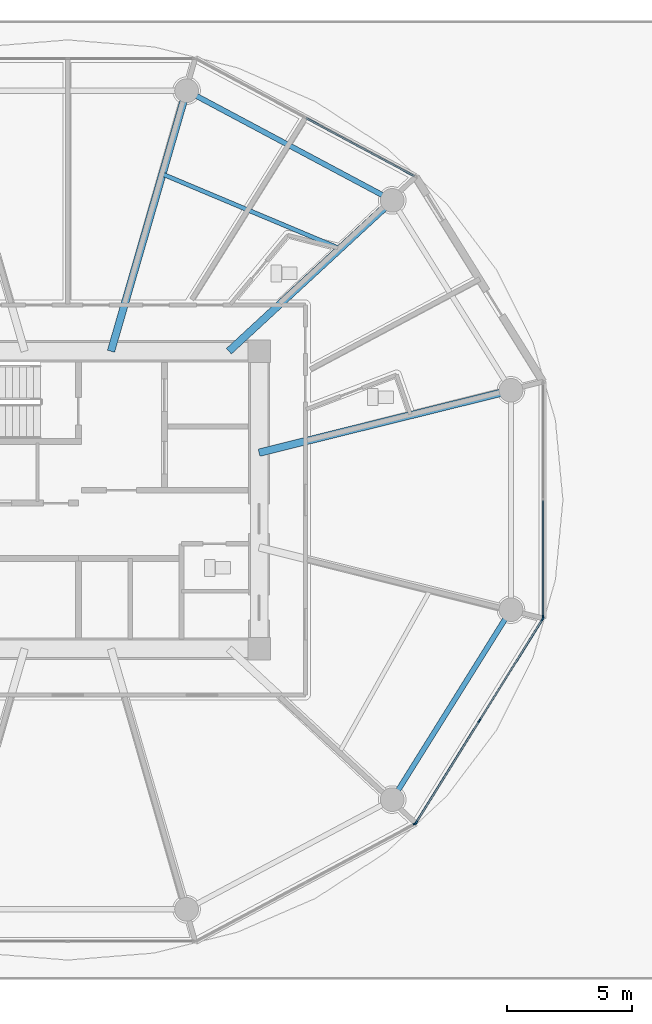
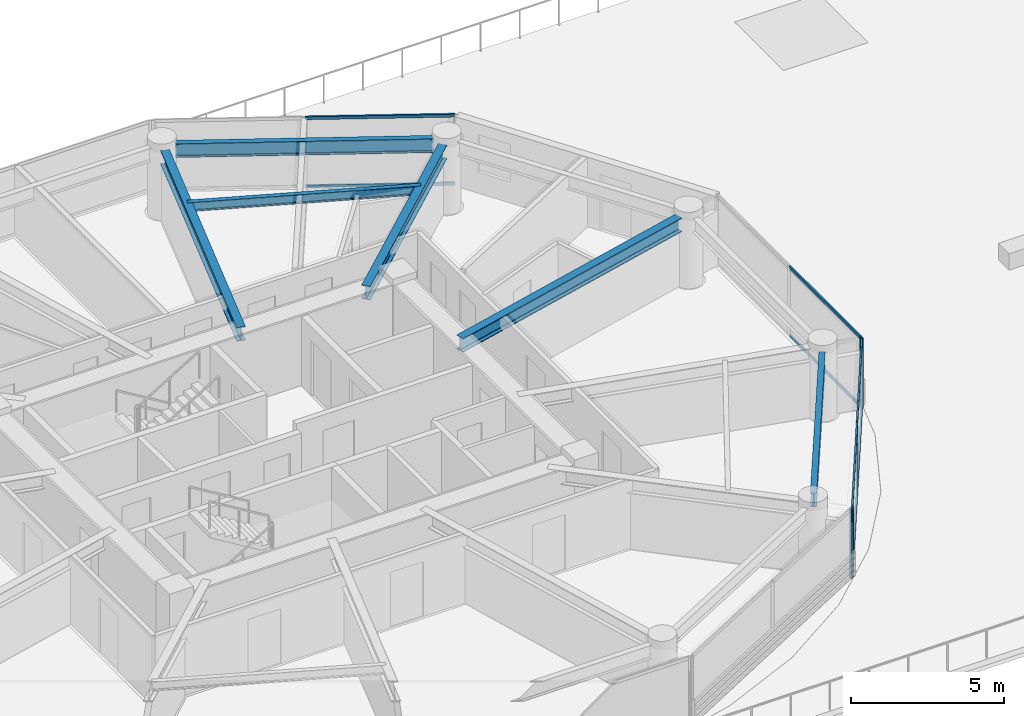
# One storey, part 5 of 32: 13 members, 6 beams, 4 elements without a shape of their own.
"""IFC4 building model written with IfcOpenShell, lengths in metres."""

import ifcopenshell
import ifcopenshell.guid

model = None  # the IFC model being written
_history = None  # IfcOwnerHistory: only IFC2X3 demands one
_inside = {}  # id of a spatial element -> (the spatial element, [elements in it])
_under = {}  # id of a project, library or spatial element -> (it, [spatial elements below it])
_declared = {}  # id of a project -> (the project, [libraries it declares])
_typed = {}  # id of a type object -> (the type object, [elements of that type])
_made_of = {}  # id of a material, layer set ... -> (it, [elements and type objects made of it])


def new_model(schema):
    """Start an empty IFC model of exactly this schema.

    Asked for "IFC4X3", IfcOpenShell would pick the latest addendum, in which some entities
    have other attributes; the version numbers below select the first issue.
    IFC2X3 requires an IfcOwnerHistory on every rooted entity: one is made here for all.
    """
    global model, _history
    if schema == "IFC4X3":
        model = ifcopenshell.file(schema_version=(4, 3, 0, 0))
    else:
        model = ifcopenshell.file(schema=schema)
    _inside.clear()
    _under.clear()
    _declared.clear()
    _typed.clear()
    _made_of.clear()
    _history = None
    if model.schema == "IFC2X3":
        org = make("IfcOrganization", Name="unknown")
        user = make(
            "IfcPersonAndOrganization",
            ThePerson=make("IfcPerson", FamilyName="unknown"),
            TheOrganization=org,
        )
        app = make(
            "IfcApplication",
            ApplicationDeveloper=org,
            Version="unknown",
            ApplicationFullName="unknown",
            ApplicationIdentifier="unknown",
        )
        _history = make(
            "IfcOwnerHistory",
            OwningUser=user,
            OwningApplication=app,
            ChangeAction="ADDED",
            CreationDate=0,
        )
    return model


def make(cls, **values):
    """One entity of the class cls with the attributes given. An attribute that is None is left unset."""
    return model.create_entity(
        cls, **{name: value for name, value in values.items() if value is not None}
    )


def rooted(cls, **values):
    """An entity with a GlobalId (a new one), such as an element, a storey or a relation."""
    return make(cls, GlobalId=ifcopenshell.guid.new(), OwnerHistory=_history, **values)


def si_unit(unit_type, name, prefix=None):
    """IfcSIUnit, for example si_unit("LENGTHUNIT", "METRE", prefix="MILLI")."""
    return make("IfcSIUnit", UnitType=unit_type, Prefix=prefix, Name=name)


def assignment(units):
    """IfcUnitAssignment: the units of a project."""
    return None if units is None else make("IfcUnitAssignment", Units=units)


def point(xyz):
    """IfcCartesianPoint."""
    return None if xyz is None else make("IfcCartesianPoint", Coordinates=xyz)


def direction(xyz):
    """IfcDirection."""
    return None if xyz is None else make("IfcDirection", DirectionRatios=xyz)


def frame(location, z_axis=None, x_axis=None):
    """IfcAxis2Placement3D, a coordinate frame: its origin and axes. An axis left out is left unset."""
    return make(
        "IfcAxis2Placement3D",
        Location=point(location),
        Axis=direction(z_axis),
        RefDirection=direction(x_axis),
    )


def frame_2d(location, x_axis=None):
    """IfcAxis2Placement2D, a coordinate frame in the plane: its origin and x axis."""
    return make(
        "IfcAxis2Placement2D", Location=point(location), RefDirection=direction(x_axis)
    )


def origin():
    """The frame at (0, 0, 0) with its axes left unset."""
    return frame((0.0, 0.0, 0.0))


def origin_2d():
    """The frame at (0, 0) in the plane with its x axis left unset."""
    return frame_2d((0.0, 0.0))


def place(relative_to, where):
    """IfcLocalPlacement: puts the frame where relative to a parent placement (None: the world)."""
    return make(
        "IfcLocalPlacement", PlacementRelTo=relative_to, RelativePlacement=where
    )


def context(
    kind, dimensions, precision=None, world=None, true_north=None, identifier=None
):
    """IfcGeometricRepresentationContext, for example the 3D "Model" context."""
    return make(
        "IfcGeometricRepresentationContext",
        ContextIdentifier=identifier,
        ContextType=kind,
        CoordinateSpaceDimension=dimensions,
        Precision=precision,
        WorldCoordinateSystem=world,
        TrueNorth=true_north,
    )


def subcontext(parent, identifier, kind, view, scale=None):
    """IfcGeometricRepresentationSubContext, for example "Body" below "Model"."""
    return make(
        "IfcGeometricRepresentationSubContext",
        ContextIdentifier=identifier,
        ContextType=kind,
        ParentContext=parent,
        TargetScale=scale,
        TargetView=view,
    )


def project(units=None, contexts=None):
    """IfcProject with its units and contexts."""
    return rooted(
        "IfcProject",
        Name="project",
        RepresentationContexts=contexts,
        UnitsInContext=assignment(units),
    )


def spatial(cls, under=None, at=None, **own):
    """A site, building, storey or space (cls), placed at a placement, below another one or the project."""
    s = rooted(cls, ObjectPlacement=at, **own)
    if under is not None:
        _under.setdefault(under.id(), (under, []))[1].append(s)
    return s


def profile(cls, at=None, kind="AREA", **sizes):
    """A parametric profile (cls). Its sizes go by their IFC names, for example OverallWidth=200.0."""
    return make(cls, ProfileType=kind, Position=at, **sizes)


def rectangle(**sizes):
    """IfcRectangleProfileDef."""
    return profile("IfcRectangleProfileDef", **sizes)


def i_section(**sizes):
    """IfcIShapeProfileDef."""
    return profile("IfcIShapeProfileDef", **sizes)


def extrude(swept, where, along, depth):
    """IfcExtrudedAreaSolid: the profile swept, set in the frame where, extruded along a direction by depth."""
    return make(
        "IfcExtrudedAreaSolid",
        SweptArea=swept,
        Position=where,
        ExtrudedDirection=direction(along),
        Depth=depth,
    )


def shape(context_of_items, identifier, shape_type, items):
    """IfcShapeRepresentation: the items that make up one representation, for example the "Body"."""
    return make(
        "IfcShapeRepresentation",
        ContextOfItems=context_of_items,
        RepresentationIdentifier=identifier,
        RepresentationType=shape_type,
        Items=items,
    )


def source(mapping_origin, context_of_items, identifier, shape_type, items):
    """IfcRepresentationMap: a shape defined once, which mapped items show again and again."""
    return make(
        "IfcRepresentationMap",
        MappingOrigin=mapping_origin,
        MappedRepresentation=shape(context_of_items, identifier, shape_type, items),
    )


def transform(
    local_origin,
    x_axis=None,
    y_axis=None,
    z_axis=None,
    scale=None,
    scale2=None,
    scale3=None,
    uniform=True,
):
    """IfcCartesianTransformationOperator3D, or its non-uniform kind. x_axis, y_axis, z_axis: its Axis1, 2, 3."""
    if uniform:
        return make(
            "IfcCartesianTransformationOperator3D",
            Axis1=direction(x_axis),
            Axis2=direction(y_axis),
            LocalOrigin=point(local_origin),
            Scale=scale,
            Axis3=direction(z_axis),
        )
    return make(
        "IfcCartesianTransformationOperator3DnonUniform",
        Axis1=direction(x_axis),
        Axis2=direction(y_axis),
        LocalOrigin=point(local_origin),
        Scale=scale,
        Axis3=direction(z_axis),
        Scale2=scale2,
        Scale3=scale3,
    )


def mapped(mapping_source, mapping_target):
    """IfcMappedItem: shows the shape of a source again, moved by a transform."""
    return make(
        "IfcMappedItem", MappingSource=mapping_source, MappingTarget=mapping_target
    )


def material(Name=None, Category=None):
    """IfcMaterial."""
    return make("IfcMaterial", Name=Name, Category=Category)


def layer(
    of_material, thickness, ventilated=None, Name=None, Category=None, Priority=None
):
    """IfcMaterialLayer: one layer of a wall or slab, of a material (None: an air gap)."""
    return make(
        "IfcMaterialLayer",
        Material=of_material,
        LayerThickness=thickness,
        IsVentilated=ventilated,
        Name=Name,
        Category=Category,
        Priority=Priority,
    )


def layer_set(layers, Name=None):
    """IfcMaterialLayerSet."""
    return make("IfcMaterialLayerSet", MaterialLayers=layers, LayerSetName=Name)


def material_profile(
    of_material, cross_section, Name=None, Category=None, Priority=None
):
    """IfcMaterialProfile: a cross section and its material."""
    return make(
        "IfcMaterialProfile",
        Name=Name,
        Material=of_material,
        Profile=cross_section,
        Priority=Priority,
        Category=Category,
    )


def profile_set(profiles, Name=None, composite=None):
    """IfcMaterialProfileSet."""
    return make(
        "IfcMaterialProfileSet",
        Name=Name,
        MaterialProfiles=profiles,
        CompositeProfile=composite,
    )


def made_of(thing, what):
    """Note that an element or type object is made of a material, layer set ...; save() writes the relation."""
    if what is not None:
        _made_of.setdefault(what.id(), (what, []))[1].append(thing)
    return thing


def type_object(cls, material=None, **own):
    """A type object (cls), such as IfcWallType, which elements share."""
    return made_of(rooted(cls, **own), material)


def type_shapes(of_type, sources):
    """Give a type object the sources (RepresentationMaps) that its elements show as mapped items."""
    of_type.RepresentationMaps = sources


def element(
    cls,
    number,
    at=None,
    inside=None,
    cuts=None,
    type_object=None,
    material=None,
    context=None,
    identifier="Body",
    shape_type=None,
    held_by="IfcProductDefinitionShape",
    body=None,
    shapes=None,
    **own,
):
    """One element of the class cls, such as IfcWall. Its Tag is "e" and its number.

    at: its placement. inside: the storey or other place that contains it. cuts: it is an
    opening in that element (IfcRelVoidsElement). A single representation is given by context,
    identifier, shape_type and body (its items); several are given by shapes. held_by: the class
    of the entity that holds the representations. save() writes the other relations.
    """
    e = rooted(cls, Tag="e%d" % number, ObjectPlacement=at, **own)
    if body is not None:
        shapes = [shape(context, identifier, shape_type, body)]
    if shapes is not None:
        e.Representation = make(held_by, Representations=shapes)
    if inside is not None:
        _inside.setdefault(inside.id(), (inside, []))[1].append(e)
    if cuts is not None:
        rooted(
            "IfcRelVoidsElement", RelatingBuildingElement=cuts, RelatedOpeningElement=e
        )
    if type_object is not None:
        _typed.setdefault(type_object.id(), (type_object, []))[1].append(e)
    return made_of(e, material)


def aggregate(whole, parts):
    """IfcRelAggregates: a whole, such as a stair, and the parts it consists of."""
    return rooted("IfcRelAggregates", RelatingObject=whole, RelatedObjects=parts)


def save(model, path):
    """Write the relations noted so far, then the file.

    IfcRelAggregates (storeys below a building ...), IfcRelContainedInSpatialStructure (elements
    in a storey), IfcRelDefinesByType, IfcRelAssociatesMaterial and IfcRelDeclares: one each for
    every whole, place, type object, material and project.
    """
    for whole, parts in _under.values():
        aggregate(whole, parts)
    for where, things in _inside.values():
        rooted(
            "IfcRelContainedInSpatialStructure",
            RelatedElements=things,
            RelatingStructure=where,
        )
    for kind, things in _typed.values():
        rooted("IfcRelDefinesByType", RelatedObjects=things, RelatingType=kind)
    for what, things in _made_of.values():
        rooted("IfcRelAssociatesMaterial", RelatedObjects=things, RelatingMaterial=what)
    for by, libraries in _declared.values():
        rooted("IfcRelDeclares", RelatingContext=by, RelatedDefinitions=libraries)
    model.write(path)


model = new_model("IFC4")

# Units and contexts
model_context = context("Model", 3, precision=1e-05, world=origin(), true_north=direction((0.0, 1.0)))
body_context = subcontext(model_context, "Body", "Model", "MODEL_VIEW")
ifc_project = project(units=[si_unit("LENGTHUNIT", "METRE"), si_unit("AREAUNIT", "SQUARE_METRE"), si_unit("VOLUMEUNIT", "CUBIC_METRE"), si_unit("PLANEANGLEUNIT", "RADIAN"), si_unit("MASSUNIT", "GRAM", prefix="KILO")], contexts=[model_context])

# Site, building, storey
site_placement = place(None, origin())
site = spatial("IfcSite", under=ifc_project, at=site_placement, CompositionType="ELEMENT")
building_placement = place(site_placement, origin())
building = spatial("IfcBuilding", under=site, at=building_placement, Name="Norrkilde Senior Care Towers", CompositionType="ELEMENT")
storey_placement = place(building_placement, frame((0.0, 0.0, 21.60009765625)))
storey = spatial("IfcBuildingStorey", under=building, at=storey_placement, Name="L05", CompositionType="ELEMENT", Elevation=21.60009765625)

# Beams
ifc_material_1 = material(Name="Steel S355", Category="steel")
ifc_material_profile_1 = material_profile(ifc_material_1, i_section(OverallWidth=0.2099609375, OverallDepth=0.550048828125, WebThickness=0.010986328125, FlangeThickness=0.01708984375, FilletRadius=0.02392578125, at=origin_2d()), Name="IPE 550")
ifc_profile_set_1 = profile_set([ifc_material_profile_1], Name="Steel S355")
beam_type_1 = type_object("IfcBeamType", Name="Perimeter Ring Spandrel Z1 IPE550", PredefinedType="SPANDREL", material=ifc_profile_set_1)
shared_shape_1 = source(origin(), body_context, "Body", "SweptSolid", [
    extrude(i_section(OverallWidth=0.2099609375, OverallDepth=0.550048828125, WebThickness=0.010986328125, FlangeThickness=0.01708984375, FilletRadius=0.02392578125, at=origin_2d()), origin(), (0.0, 0.0, 1.0), 8.090576171875),
])
beam_1_placement = place(storey_placement, frame((-14.7939453125, -11.61669921875, 2.514892578125), z_axis=(0.530004364821, 0.84799491347, 0.0), x_axis=(-0.84799491347, 0.530004364821, 0.0)))
element("IfcBeam", 1, at=beam_1_placement, inside=storey, type_object=beam_type_1, Name="L05 Drum W Perimeter Spandrel 11", PredefinedType="SPANDREL", context=body_context, shape_type="MappedRepresentation", body=[
    mapped(shared_shape_1, transform((0.0, 0.0, 0.0), x_axis=(1.0, 0.0, 0.0), y_axis=(0.0, 1.0, 0.0), z_axis=(0.0, 0.0, 1.0), scale=1.0)),
])
ifc_material_profile_2 = material_profile(ifc_material_1, i_section(OverallWidth=0.300048828125, OverallDepth=0.550048828125, WebThickness=0.014892578125, FlangeThickness=0.029052734375, FilletRadius=0.027099609375, at=origin_2d()), Name="HEB 550")
ifc_profile_set_2 = profile_set([ifc_material_profile_2], Name="Steel S355")
beam_type_2 = type_object("IfcBeamType", Name="Radial Floor Beam Z1 HEB550", PredefinedType="BEAM", material=ifc_profile_set_2)
shared_shape_2 = source(origin(), body_context, "Body", "SweptSolid", [
    extrude(i_section(OverallWidth=0.300048828125, OverallDepth=0.550048828125, WebThickness=0.014892578125, FlangeThickness=0.029052734375, FilletRadius=0.027099609375, at=origin_2d()), origin(), (0.0, 0.0, 1.0), 9.94384765625),
])
beam_2_placement = place(storey_placement, frame((-20.35009765625, 1.893310546875, 2.514892578125), z_axis=(0.970707425182, 0.240264634718, 0.0), x_axis=(-0.240264634718, 0.970707425182, 0.0)))
element("IfcBeam", 2, at=beam_2_placement, inside=storey, type_object=beam_type_2, Name="L05 Drum W Radial Floor Beam 01", PredefinedType="BEAM", context=body_context, shape_type="MappedRepresentation", body=[
    mapped(shared_shape_2, transform((0.0, 0.0, 0.0), x_axis=(1.0, 0.0, 0.0), y_axis=(0.0, 1.0, 0.0), z_axis=(0.0, 0.0, 1.0), scale=1.0)),
])
shared_shape_3 = source(origin(), body_context, "Body", "SweptSolid", [
    extrude(i_section(OverallWidth=0.2099609375, OverallDepth=0.550048828125, WebThickness=0.010986328125, FlangeThickness=0.01708984375, FilletRadius=0.02392578125, at=origin_2d()), origin(), (0.0, 0.0, 1.0), 8.452880859375),
])
type_shapes(beam_type_1, [shared_shape_1, shared_shape_3])
beam_3_placement = place(storey_placement, frame((-15.408447265625, 12.190185546875, 2.514892578125), z_axis=(-0.882368931134, 0.470558252898, 0.0), x_axis=(-0.470558252898, -0.882368931134, 0.0)))
element("IfcBeam", 3, at=beam_3_placement, inside=storey, type_object=beam_type_1, Name="L05 Drum W Perimeter Spandrel 02", PredefinedType="SPANDREL", context=body_context, shape_type="MappedRepresentation", body=[
    mapped(shared_shape_3, transform((0.0, 0.0, 0.0), x_axis=(1.0, 0.0, 0.0), y_axis=(0.0, 1.0, 0.0), z_axis=(0.0, 0.0, 1.0), scale=1.0)),
])
shared_shape_4 = source(origin(), body_context, "Body", "SweptSolid", [
    extrude(i_section(OverallWidth=0.300048828125, OverallDepth=0.550048828125, WebThickness=0.014892578125, FlangeThickness=0.029052734375, FilletRadius=0.027099609375, at=origin_2d()), origin(), (0.0, 0.0, 1.0), 8.459716796875),
])
beam_4_placement = place(storey_placement, frame((-21.55859375, 5.949951171875, 2.514892578125), z_axis=(0.734573269108, 0.678529374686, 0.0), x_axis=(-0.678529374686, 0.734573269108, 0.0)))
element("IfcBeam", 4, at=beam_4_placement, inside=storey, type_object=beam_type_2, Name="L05 Drum W Radial Floor Beam 02", PredefinedType="BEAM", context=body_context, shape_type="MappedRepresentation", body=[
    mapped(shared_shape_4, transform((0.0, 0.0, 0.0), x_axis=(1.0, 0.0, 0.0), y_axis=(0.0, 1.0, 0.0), z_axis=(0.0, 0.0, 1.0), scale=1.0)),
])
shared_shape_5 = source(origin(), body_context, "Body", "SweptSolid", [
    extrude(i_section(OverallWidth=0.300048828125, OverallDepth=0.550048828125, WebThickness=0.014892578125, FlangeThickness=0.029052734375, FilletRadius=0.027099609375, at=origin_2d()), origin(), (0.0, 0.0, 1.0), 10.4169921875),
])
type_shapes(beam_type_2, [shared_shape_2, shared_shape_4, shared_shape_5])
beam_5_placement = place(storey_placement, frame((-26.27392578125, 5.949951171875, 2.514892578125), z_axis=(0.278591250785, 0.960409764104, 0.0), x_axis=(-0.960409764104, 0.278591250785, 0.0)))
element("IfcBeam", 5, at=beam_5_placement, inside=storey, type_object=beam_type_2, Name="L05 Drum W Radial Floor Beam 03", PredefinedType="BEAM", context=body_context, shape_type="MappedRepresentation", body=[
    mapped(shared_shape_5, transform((0.0, 0.0, 0.0), x_axis=(1.0, 0.0, 0.0), y_axis=(0.0, 1.0, 0.0), z_axis=(0.0, 0.0, 1.0), scale=1.0)),
])
ifc_material_profile_3 = material_profile(ifc_material_1, i_section(OverallWidth=0.169921875, OverallDepth=0.360107421875, WebThickness=0.008056640625, FlangeThickness=0.0126953125, FilletRadius=0.01806640625, at=origin_2d()), Name="IPE 360")
ifc_profile_set_3 = profile_set([ifc_material_profile_3], Name="Steel S355")
beam_type_3 = type_object("IfcBeamType", Name="Secondary Floor Joist IPE360", PredefinedType="JOIST", material=ifc_profile_set_3)
shared_shape_6 = source(origin(), body_context, "Body", "SweptSolid", [
    extrude(i_section(OverallWidth=0.169921875, OverallDepth=0.360107421875, WebThickness=0.008056640625, FlangeThickness=0.0126953125, FilletRadius=0.01806640625, at=origin_2d()), origin(), (0.0, 0.0, 1.0), 7.703857421875),
])
type_shapes(beam_type_3, [shared_shape_6])
beam_6_placement = place(storey_placement, frame((-17.115478515625, 10.05419921875, 2.60986328125), z_axis=(-0.921982784465, 0.387230868023, 0.0), x_axis=(-0.387230868023, -0.921982784465, 0.0)))
element("IfcBeam", 6, at=beam_6_placement, inside=storey, type_object=beam_type_3, Name="L05 Drum W Secondary Floor Joist 1", PredefinedType="JOIST", context=body_context, shape_type="MappedRepresentation", body=[
    mapped(shared_shape_6, transform((0.0, 0.0, 0.0), x_axis=(1.0, 0.0, 0.0), y_axis=(0.0, 1.0, 0.0), z_axis=(0.0, 0.0, 1.0), scale=1.0)),
])

# Curtain wall, member
ifc_material_2 = material(Name="Triple Low-E Insulated Glazing", Category="glass")
ifc_layer = layer(ifc_material_2, 0.199951171875)
ifc_layer_set = layer_set([ifc_layer], Name="Triple Low-E Insulated Glazing")
curtain_wall_type = type_object("IfcCurtainWallType", Name="CW2 Zone 1 Memory Care Curtain Wall", PredefinedType="NOTDEFINED", material=ifc_layer_set)
curtain_wall_1_placement = place(storey_placement, origin())
curtain_wall_1 = element("IfcCurtainWall", 7, at=curtain_wall_1_placement, inside=storey, type_object=curtain_wall_type, Name="L05 Drum W Curtain Wall 09", PredefinedType="NOTDEFINED")
ifc_material_3 = material(Name="Anodised Aluminium", Category="aluminium")
ifc_material_profile_4 = material_profile(ifc_material_3, rectangle(XDim=0.06494140625, YDim=0.159912109375, at=origin_2d()), Name="ALU MULL 65x160")
ifc_profile_set_4 = profile_set([ifc_material_profile_4], Name="Anodised Aluminium")
member_type_1 = type_object("IfcMemberType", Name="Curtain Wall Mullion Z1-Z2 65x160", PredefinedType="MULLION", material=ifc_profile_set_4)
shared_shape_7 = source(origin(), body_context, "Body", "SweptSolid", [
    extrude(rectangle(XDim=0.06494140625, YDim=0.159912109375, at=origin_2d()), origin(), (0.0, 0.0, 1.0), 2.789794921875),
])
type_shapes(member_type_1, [shared_shape_7])
member_1_placement = place(storey_placement, frame((-14.11279296875, -12.941162109375, 0.0), z_axis=(0.0, 0.0, 1.0), x_axis=(0.472607802456, -0.881272866403, 0.0)))
member_1 = element("IfcMember", 8, at=member_1_placement, type_object=member_type_1, Name="CW-2 mullion 1", PredefinedType="MULLION", context=body_context, shape_type="MappedRepresentation", body=[
    mapped(shared_shape_7, transform((0.0, 0.0, 0.0), x_axis=(1.0, 0.0, 0.0), y_axis=(0.0, 1.0, 0.0), z_axis=(0.0, 0.0, 1.0), scale=1.0)),
])
aggregate(curtain_wall_1, [member_1])

# Curtain wall, members
curtain_wall_2_placement = place(storey_placement, origin())
curtain_wall_2 = element("IfcCurtainWall", 9, at=curtain_wall_2_placement, inside=storey, type_object=curtain_wall_type, Name="L05 Drum W Curtain Wall 10", PredefinedType="NOTDEFINED")
member_2_placement = place(storey_placement, frame((-9.0078125, -4.7587890625, 0.0), z_axis=(0.0, 0.0, 1.0), x_axis=(0.849305943117, -0.527900951871, 0.0)))
member_2 = element("IfcMember", 10, at=member_2_placement, type_object=member_type_1, Name="CW-2 mullion 1", PredefinedType="MULLION", context=body_context, shape_type="MappedRepresentation", body=[
    mapped(shared_shape_7, transform((0.0, 0.0, 0.0), x_axis=(1.0, 0.0, 0.0), y_axis=(0.0, 1.0, 0.0), z_axis=(0.0, 0.0, 1.0), scale=1.0)),
])
member_3_placement = place(storey_placement, frame((-11.537353515625, -8.82861328125, 0.0), z_axis=(0.0, 0.0, 1.0), x_axis=(0.849305943117, -0.527900951871, 0.0)))
member_3 = element("IfcMember", 11, at=member_3_placement, type_object=member_type_1, Name="CW-2 mullion 2", PredefinedType="MULLION", context=body_context, shape_type="MappedRepresentation", body=[
    mapped(shared_shape_7, transform((0.0, 0.0, 0.0), x_axis=(1.0, 0.0, 0.0), y_axis=(0.0, 1.0, 0.0), z_axis=(0.0, 0.0, 1.0), scale=1.0)),
])
member_4_placement = place(storey_placement, frame((-14.06689453125, -12.898193359375, 0.0), z_axis=(0.0, 0.0, 1.0), x_axis=(0.849305943117, -0.527900951871, 0.0)))
member_4 = element("IfcMember", 12, at=member_4_placement, type_object=member_type_1, Name="CW-2 mullion 3", PredefinedType="MULLION", context=body_context, shape_type="MappedRepresentation", body=[
    mapped(shared_shape_7, transform((0.0, 0.0, 0.0), x_axis=(1.0, 0.0, 0.0), y_axis=(0.0, 1.0, 0.0), z_axis=(0.0, 0.0, 1.0), scale=1.0)),
])

# Curtain wall, member
curtain_wall_3_placement = place(storey_placement, origin())
curtain_wall_3 = element("IfcCurtainWall", 13, at=curtain_wall_3_placement, inside=storey, type_object=curtain_wall_type, Name="L05 Drum W Curtain Wall 11", PredefinedType="NOTDEFINED")
member_5_placement = place(storey_placement, frame((-8.990478515625, -4.69873046875, 0.0), z_axis=(0.0, 0.0, 1.0), x_axis=(1.0, 0.0, 0.0)))
member_5 = element("IfcMember", 14, at=member_5_placement, type_object=member_type_1, Name="CW-2 mullion 3", PredefinedType="MULLION", context=body_context, shape_type="MappedRepresentation", body=[
    mapped(shared_shape_7, transform((0.0, 0.0, 0.0), x_axis=(1.0, 0.0, 0.0), y_axis=(0.0, 1.0, 0.0), z_axis=(0.0, 0.0, 1.0), scale=1.0)),
])

# Curtain wall, members
curtain_wall_4_placement = place(storey_placement, origin())
curtain_wall_4 = element("IfcCurtainWall", 15, at=curtain_wall_4_placement, inside=storey, type_object=curtain_wall_type, Name="L05 Drum W Curtain Wall 01", PredefinedType="NOTDEFINED")
ifc_material_profile_5 = material_profile(ifc_material_3, rectangle(XDim=0.06005859375, YDim=0.1201171875, at=origin_2d()), Name="ALU TRAN 60x120")
ifc_profile_set_5 = profile_set([ifc_material_profile_5], Name="Anodised Aluminium")
member_type_2 = type_object("IfcMemberType", Name="Curtain Wall Transom Typical 60x120", PredefinedType="USERDEFINED", material=ifc_profile_set_5)
shared_shape_8 = source(origin(), body_context, "Body", "SweptSolid", [
    extrude(rectangle(XDim=0.06005859375, YDim=0.1201171875, at=origin_2d()), origin(), (0.0, 0.0, 1.0), 4.907958984375),
])
member_6_placement = place(storey_placement, frame((-18.466552734375, 15.276123046875, 0.02978515625), z_axis=(0.881266902561, -0.472618923077, 0.0), x_axis=(0.472618923077, 0.881266902561, 0.0)))
member_6 = element("IfcMember", 16, at=member_6_placement, type_object=member_type_2, Name="CW-2 transom 2.1", ObjectType="TRANSOM", PredefinedType="USERDEFINED", context=body_context, shape_type="MappedRepresentation", body=[
    mapped(shared_shape_8, transform((0.0, 0.0, 0.0), x_axis=(1.0, 0.0, 0.0), y_axis=(0.0, 1.0, 0.0), z_axis=(0.0, 0.0, 1.0), scale=1.0)),
])
member_7_placement = place(storey_placement, frame((-18.466552734375, 15.276123046875, 2.760009765625), z_axis=(0.881266902561, -0.472618923077, 0.0), x_axis=(0.472618923077, 0.881266902561, 0.0)))
member_7 = element("IfcMember", 17, at=member_7_placement, type_object=member_type_2, Name="CW-2 transom 2.2", ObjectType="TRANSOM", PredefinedType="USERDEFINED", context=body_context, shape_type="MappedRepresentation", body=[
    mapped(shared_shape_8, transform((0.0, 0.0, 0.0), x_axis=(1.0, 0.0, 0.0), y_axis=(0.0, 1.0, 0.0), z_axis=(0.0, 0.0, 1.0), scale=1.0)),
])
aggregate(curtain_wall_4, [member_6, member_7])

# Member
shared_shape_9 = source(origin(), body_context, "Body", "SweptSolid", [
    extrude(rectangle(XDim=0.06005859375, YDim=0.1201171875, at=origin_2d()), origin(), (0.0, 0.0, 1.0), 4.72705078125),
])
member_8_placement = place(storey_placement, frame((-9.02490234375, -4.786376953125, 0.02978515625), z_axis=(-0.527898881076, -0.849307230252, 0.0), x_axis=(0.849307230252, -0.527898881076, 0.0)))
member_8 = element("IfcMember", 18, at=member_8_placement, type_object=member_type_2, Name="CW-2 transom 1.1", ObjectType="TRANSOM", PredefinedType="USERDEFINED", context=body_context, shape_type="MappedRepresentation", body=[
    mapped(shared_shape_9, transform((0.0, 0.0, 0.0), x_axis=(1.0, 0.0, 0.0), y_axis=(0.0, 1.0, 0.0), z_axis=(0.0, 0.0, 1.0), scale=1.0)),
])

member_9_placement = place(storey_placement, frame((-9.02490234375, -4.786376953125, 2.760009765625), z_axis=(-0.527898881076, -0.849307230252, 0.0), x_axis=(0.849307230252, -0.527898881076, 0.0)))
member_9 = element("IfcMember", 19, at=member_9_placement, type_object=member_type_2, Name="CW-2 transom 1.2", ObjectType="TRANSOM", PredefinedType="USERDEFINED", context=body_context, shape_type="MappedRepresentation", body=[
    mapped(shared_shape_9, transform((0.0, 0.0, 0.0), x_axis=(1.0, 0.0, 0.0), y_axis=(0.0, 1.0, 0.0), z_axis=(0.0, 0.0, 1.0), scale=1.0)),
])

shared_shape_10 = source(origin(), body_context, "Body", "SweptSolid", [
    extrude(rectangle(XDim=0.06005859375, YDim=0.1201171875, at=origin_2d()), origin(), (0.0, 0.0, 1.0), 4.726806640625),
])
member_10_placement = place(storey_placement, frame((-11.554443359375, -8.856201171875, 0.02978515625), z_axis=(-0.527922038395, -0.849292836056, 0.0), x_axis=(0.849292836056, -0.527922038395, 0.0)))
member_10 = element("IfcMember", 20, at=member_10_placement, type_object=member_type_2, Name="CW-2 transom 2.1", ObjectType="TRANSOM", PredefinedType="USERDEFINED", context=body_context, shape_type="MappedRepresentation", body=[
    mapped(shared_shape_10, transform((0.0, 0.0, 0.0), x_axis=(1.0, 0.0, 0.0), y_axis=(0.0, 1.0, 0.0), z_axis=(0.0, 0.0, 1.0), scale=1.0)),
])

member_11_placement = place(storey_placement, frame((-11.554443359375, -8.856201171875, 2.760009765625), z_axis=(-0.527922038395, -0.849292836056, 0.0), x_axis=(0.849292836056, -0.527922038395, 0.0)))
member_11 = element("IfcMember", 21, at=member_11_placement, type_object=member_type_2, Name="CW-2 transom 2.2", ObjectType="TRANSOM", PredefinedType="USERDEFINED", context=body_context, shape_type="MappedRepresentation", body=[
    mapped(shared_shape_10, transform((0.0, 0.0, 0.0), x_axis=(1.0, 0.0, 0.0), y_axis=(0.0, 1.0, 0.0), z_axis=(0.0, 0.0, 1.0), scale=1.0)),
])

aggregate(curtain_wall_2, [member_2, member_3, member_4, member_8, member_9, member_10, member_11])

shared_shape_11 = source(origin(), body_context, "Body", "SweptSolid", [
    extrude(rectangle(XDim=0.06005859375, YDim=0.1201171875, at=origin_2d()), origin(), (0.0, 0.0, 1.0), 4.6337890625),
])
type_shapes(member_type_2, [shared_shape_8, shared_shape_9, shared_shape_10, shared_shape_11])
member_12_placement = place(storey_placement, frame((-8.990478515625, -0.032470703125, 0.02978515625), z_axis=(0.0, -1.0, 0.0), x_axis=(1.0, 0.0, 0.0)))
member_12 = element("IfcMember", 22, at=member_12_placement, type_object=member_type_2, Name="CW-2 transom 2.1", ObjectType="TRANSOM", PredefinedType="USERDEFINED", context=body_context, shape_type="MappedRepresentation", body=[
    mapped(shared_shape_11, transform((0.0, 0.0, 0.0), x_axis=(1.0, 0.0, 0.0), y_axis=(0.0, 1.0, 0.0), z_axis=(0.0, 0.0, 1.0), scale=1.0)),
])

member_13_placement = place(storey_placement, frame((-8.990478515625, -0.032470703125, 2.760009765625), z_axis=(0.0, -1.0, 0.0), x_axis=(1.0, 0.0, 0.0)))
member_13 = element("IfcMember", 23, at=member_13_placement, type_object=member_type_2, Name="CW-2 transom 2.2", ObjectType="TRANSOM", PredefinedType="USERDEFINED", context=body_context, shape_type="MappedRepresentation", body=[
    mapped(shared_shape_11, transform((0.0, 0.0, 0.0), x_axis=(1.0, 0.0, 0.0), y_axis=(0.0, 1.0, 0.0), z_axis=(0.0, 0.0, 1.0), scale=1.0)),
])

aggregate(curtain_wall_3, [member_5, member_12, member_13])

save(model, "model.ifc")
